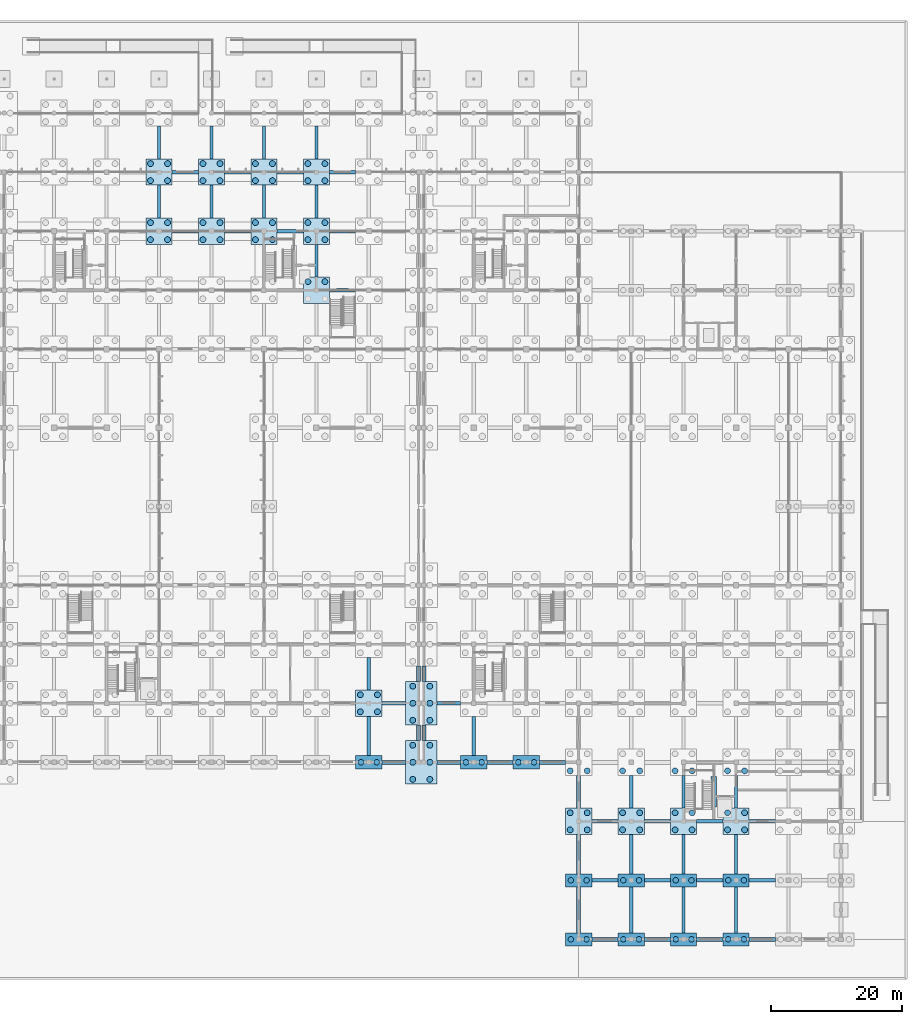
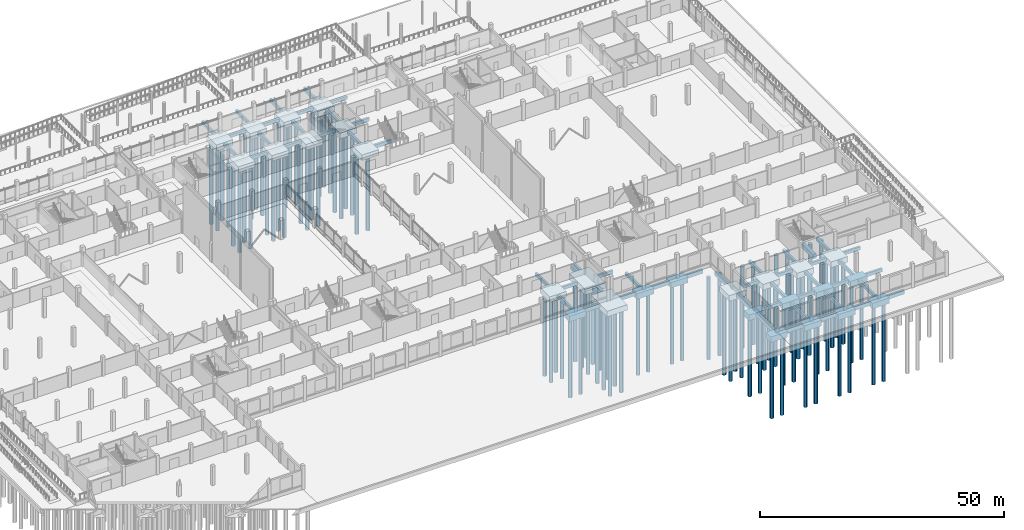
# One storey, part 7 of 72: 96 piles, 83 footings.
"""IFC4 building model written with IfcOpenShell, lengths in metres."""

from ifc_helpers import new_model, si_unit, direction, frame, origin, origin_2d, place, context, subcontext, project, spatial, rectangle, circle, extrude, material, material_profile, profile_set, type_object, element, save


model = new_model("IFC4")

# Units and contexts
model_context = context("Model", 3, precision=1e-05, world=origin(), true_north=direction((0.0, 1.0)))
body_context = subcontext(model_context, "Body", "Model", "MODEL_VIEW")
ifc_project = project(units=[si_unit("LENGTHUNIT", "METRE"), si_unit("AREAUNIT", "SQUARE_METRE"), si_unit("VOLUMEUNIT", "CUBIC_METRE"), si_unit("PLANEANGLEUNIT", "RADIAN"), si_unit("MASSUNIT", "GRAM", prefix="KILO"), si_unit("THERMODYNAMICTEMPERATUREUNIT", "KELVIN"), si_unit("POWERUNIT", "WATT")], contexts=[model_context])

# Site, building, storey
site_placement = place(None, origin())
site = spatial("IfcSite", under=ifc_project, at=site_placement, CompositionType="ELEMENT")
building_placement = place(site_placement, origin())
building = spatial("IfcBuilding", under=site, at=building_placement, Name="Kronsvod Quay Wholesale Market", CompositionType="ELEMENT")
storey_placement = place(building_placement, origin())
storey = spatial("IfcBuildingStorey", under=building, at=storey_placement, Name="L00", CompositionType="ELEMENT", Elevation=0.0)

# Footings
ifc_material_1 = material(Name="Concrete C35/45", Category="concrete")
footing_type_1 = type_object("IfcFootingType", Name="Cap_PC2B", PredefinedType="PILE_CAP", material=ifc_material_1)
for number, where, z_axis, x_axis, name in (
    (1, (120.0, 27.0, -2.64990234375), (0.0, 0.0, 1.0), (1.0, 0.0, 0.0), "CAP-178"),
    (2, (136.0, 27.0, -2.64990234375), (0.0, 0.0, 1.0), (1.0, 0.0, 0.0), "CAP-188"),
    (3, (144.0, 27.0, -2.64990234375), (0.0, 0.0, 1.0), (1.0, 0.0, 0.0), "CAP-198"),
    (4, (152.0, 0.0, -2.64990234375), (0.0, 0.0, 1.0), (1.0, 0.0, 0.0), "CAP-208"),
    (5, (152.0, 9.0, -2.64990234375), (0.0, 0.0, 1.0), (1.0, 0.0, 0.0), "CAP-209"),
    (6, (160.0, 0.0, -2.64990234375), (0.0, 0.0, 1.0), (1.0, 0.0, 0.0), "CAP-221"),
    (7, (160.0, 9.0, -2.64990234375), (0.0, 0.0, 1.0), (1.0, 0.0, 0.0), "CAP-222"),
    (8, (168.0, 0.0, -2.64990234375), (0.0, 0.0, 1.0), (1.0, 0.0, 0.0), "CAP-232"),
    (9, (168.0, 9.0, -2.64990234375), (0.0, 0.0, 1.0), (1.0, 0.0, 0.0), "CAP-233"),
    (10, (176.0, 0.0, -2.64990234375), (0.0, 0.0, 1.0), (1.0, 0.0, 0.0), "CAP-243"),
    (11, (176.0, 9.0, -2.64990234375), (0.0, 0.0, 1.0), (1.0, 0.0, 0.0), "CAP-244"),
):
    element("IfcFooting", number, at=place(storey_placement, frame(where, z_axis=z_axis, x_axis=x_axis)), inside=storey, type_object=footing_type_1, Name=name, PredefinedType="PILE_CAP", context=body_context, shape_type="SweptSolid", body=[
        extrude(rectangle(XDim=4.0, YDim=2.0, at=origin_2d()), origin(), (0.0, 0.0, 1.0), 1.39990234375),
    ])
ifc_material_2 = material(Name="Concrete C35/45", Category="concrete")
footing_type_2 = type_object("IfcFootingType", Name="Cap_PC4A", PredefinedType="PILE_CAP", material=ifc_material_2)
for number, where, z_axis, x_axis, name in (
    (12, (88.0, 108.0, -2.64990234375), (0.0, 0.0, 1.0), (1.0, 0.0, 0.0), "CAP-145"),
    (13, (88.0, 117.0, -2.64990234375), (0.0, 0.0, 1.0), (1.0, 0.0, 0.0), "CAP-146"),
    (14, (96.0, 108.0, -2.64990234375), (0.0, 0.0, 1.0), (1.0, 0.0, 0.0), "CAP-154"),
    (15, (96.0, 117.0, -2.64990234375), (0.0, 0.0, 1.0), (1.0, 0.0, 0.0), "CAP-155"),
    (16, (104.0, 108.0, -2.64990234375), (0.0, 0.0, 1.0), (1.0, 0.0, 0.0), "CAP-165"),
    (17, (104.0, 117.0, -2.64990234375), (0.0, 0.0, 1.0), (1.0, 0.0, 0.0), "CAP-166"),
    (18, (112.0, 99.0, -2.64990234375), (0.0, 0.0, 1.0), (1.0, 0.0, 0.0), "CAP-174"),
    (19, (112.0, 108.0, -2.64990234375), (0.0, 0.0, 1.0), (1.0, 0.0, 0.0), "CAP-175"),
    (20, (112.0, 117.0, -2.64990234375), (0.0, 0.0, 1.0), (1.0, 0.0, 0.0), "CAP-176"),
    (21, (120.0, 36.0, -2.64990234375), (0.0, 0.0, 1.0), (1.0, 0.0, 0.0), "CAP-179"),
    (22, (152.0, 18.0, -2.64990234375), (0.0, 0.0, 1.0), (1.0, 0.0, 0.0), "CAP-210"),
    (23, (160.0, 18.0, -2.64990234375), (0.0, 0.0, 1.0), (1.0, 0.0, 0.0), "CAP-223"),
    (24, (168.0, 18.0, -2.64990234375), (0.0, 0.0, 1.0), (1.0, 0.0, 0.0), "CAP-234"),
    (25, (176.0, 18.0, -2.64990234375), (0.0, 0.0, 1.0), (1.0, 0.0, 0.0), "CAP-245"),
):
    element("IfcFooting", number, at=place(storey_placement, frame(where, z_axis=z_axis, x_axis=x_axis)), inside=storey, type_object=footing_type_2, Name=name, PredefinedType="PILE_CAP", context=body_context, shape_type="SweptSolid", body=[
        extrude(rectangle(XDim=4.0, YDim=4.0, at=origin_2d()), origin(), (0.0, 0.0, 1.0), 1.39990234375),
    ])
ifc_material_3 = material(Name="Concrete C35/45", Category="concrete")
footing_type_3 = type_object("IfcFootingType", Name="Cap_PC6J", PredefinedType="PILE_CAP", material=ifc_material_3)
for number, where, z_axis, x_axis, name in (
    (26, (128.0, 27.0, -2.64990234375), (0.0, 0.0, 1.0), (1.0, 0.0, 0.0), "CAP-J002"),
    (27, (128.0, 36.0, -2.64990234375), (0.0, 0.0, 1.0), (1.0, 0.0, 0.0), "CAP-J004"),
):
    element("IfcFooting", number, at=place(storey_placement, frame(where, z_axis=z_axis, x_axis=x_axis)), inside=storey, type_object=footing_type_3, Name=name, PredefinedType="PILE_CAP", context=body_context, shape_type="SweptSolid", body=[
        extrude(rectangle(XDim=4.800048828125, YDim=6.60009765625, at=origin_2d()), origin(), (0.0, 0.0, 1.0), 1.39990234375),
    ])
ifc_material_4 = material(Name="Concrete C35/45", Category="concrete")
ifc_material_profile_1 = material_profile(ifc_material_4, rectangle(XDim=0.5, YDim=0.800048828125, at=origin_2d()), Name="FB-01")
ifc_profile_set_1 = profile_set([ifc_material_profile_1], Name="Concrete C35/45")
footing_type_4 = type_object("IfcFootingType", Name="FootingBeam_500x800", PredefinedType="FOOTING_BEAM", material=ifc_profile_set_1)
footing_1_placement = place(storey_placement, frame((122.0, 36.0, -1.64990234375), z_axis=(1.0, 0.0, 0.0), x_axis=(0.0, 1.0, 0.0)))
element("IfcFooting", 28, at=footing_1_placement, inside=storey, type_object=footing_type_4, Name="FB-X-0204", PredefinedType="FOOTING_BEAM", context=body_context, shape_type="SweptSolid", body=[
    extrude(rectangle(XDim=0.5, YDim=0.800048828125, at=origin_2d()), origin(), (0.0, 0.0, 1.0), 3.60009765625),
])
for number, where, z_axis, x_axis, name in (
    (29, (90.0, 108.0, -1.64990234375), (1.0, 0.0, 0.0), (0.0, 1.0, 0.0), "FB-X-0246"),
    (30, (98.0, 108.0, -1.64990234375), (1.0, 0.0, 0.0), (0.0, 1.0, 0.0), "FB-X-0247"),
    (31, (106.0, 108.0, -1.64990234375), (1.0, 0.0, 0.0), (0.0, 1.0, 0.0), "FB-X-0248"),
    (32, (114.0, 108.0, -1.64990234375), (1.0, 0.0, 0.0), (0.0, 1.0, 0.0), "FB-X-0249"),
    (33, (90.0, 117.0, -1.64990234375), (1.0, 0.0, 0.0), (0.0, 1.0, 0.0), "FB-X-0254"),
    (34, (98.0, 117.0, -1.64990234375), (1.0, 0.0, 0.0), (0.0, 1.0, 0.0), "FB-X-0255"),
    (35, (106.0, 117.0, -1.64990234375), (1.0, 0.0, 0.0), (0.0, 1.0, 0.0), "FB-X-0256"),
    (36, (114.0, 117.0, -1.64990234375), (1.0, 0.0, 0.0), (0.0, 1.0, 0.0), "FB-X-0257"),
):
    element("IfcFooting", number, at=place(storey_placement, frame(where, z_axis=z_axis, x_axis=x_axis)), inside=storey, type_object=footing_type_4, Name=name, PredefinedType="FOOTING_BEAM", context=body_context, shape_type="SweptSolid", body=[
        extrude(rectangle(XDim=0.5, YDim=0.800048828125, at=origin_2d()), origin(), (0.0, 0.0, 1.0), 4.0),
    ])
for number, where, z_axis, x_axis, name in (
    (37, (88.0, 110.0, -1.64990234375), (0.0, 1.0, 0.0), (-1.0, 0.0, 0.0), "FB-Y-0299"),
    (38, (88.0, 119.0, -1.64990234375), (0.0, 1.0, 0.0), (-1.0, 0.0, 0.0), "FB-Y-0300"),
    (39, (96.0, 110.0, -1.64990234375), (0.0, 1.0, 0.0), (-1.0, 0.0, 0.0), "FB-Y-0306"),
    (40, (96.0, 119.0, -1.64990234375), (0.0, 1.0, 0.0), (-1.0, 0.0, 0.0), "FB-Y-0307"),
    (41, (104.0, 110.0, -1.64990234375), (0.0, 1.0, 0.0), (-1.0, 0.0, 0.0), "FB-Y-0316"),
    (42, (104.0, 119.0, -1.64990234375), (0.0, 1.0, 0.0), (-1.0, 0.0, 0.0), "FB-Y-0317"),
    (43, (112.0, 101.0, -1.64990234375), (0.0, 1.0, 0.0), (-1.0, 0.0, 0.0), "FB-Y-0323"),
    (44, (112.0, 110.0, -1.64990234375), (0.0, 1.0, 0.0), (-1.0, 0.0, 0.0), "FB-Y-0324"),
    (45, (112.0, 119.0, -1.64990234375), (0.0, 1.0, 0.0), (-1.0, 0.0, 0.0), "FB-Y-0325"),
):
    element("IfcFooting", number, at=place(storey_placement, frame(where, z_axis=z_axis, x_axis=x_axis)), inside=storey, type_object=footing_type_4, Name=name, PredefinedType="FOOTING_BEAM", context=body_context, shape_type="SweptSolid", body=[
        extrude(rectangle(XDim=0.5, YDim=0.800048828125, at=origin_2d()), origin(), (0.0, 0.0, 1.0), 5.0),
    ])
footing_2_placement = place(storey_placement, frame((120.0, 28.0, -1.64990234375), z_axis=(0.0, 1.0, 0.0), x_axis=(-1.0, 0.0, 0.0)))
element("IfcFooting", 46, at=footing_2_placement, inside=storey, type_object=footing_type_4, Name="FB-Y-0326", PredefinedType="FOOTING_BEAM", context=body_context, shape_type="SweptSolid", body=[
    extrude(rectangle(XDim=0.5, YDim=0.800048828125, at=origin_2d()), origin(), (0.0, 0.0, 1.0), 6.0),
])
footing_3_placement = place(storey_placement, frame((120.0, 38.0, -1.64990234375), z_axis=(0.0, 1.0, 0.0), x_axis=(-1.0, 0.0, 0.0)))
element("IfcFooting", 47, at=footing_3_placement, inside=storey, type_object=footing_type_4, Name="FB-Y-0327", PredefinedType="FOOTING_BEAM", context=body_context, shape_type="SweptSolid", body=[
    extrude(rectangle(XDim=0.5, YDim=0.800048828125, at=origin_2d()), origin(), (0.0, 0.0, 1.0), 5.0),
])
for number, where, z_axis, x_axis, name in (
    (48, (154.0, 9.0, -1.64990234375), (1.0, 0.0, 0.0), (0.0, 1.0, 0.0), "FB-X-0347"),
    (49, (162.0, 9.0, -1.64990234375), (1.0, 0.0, 0.0), (0.0, 1.0, 0.0), "FB-X-0348"),
    (50, (170.0, 9.0, -1.64990234375), (1.0, 0.0, 0.0), (0.0, 1.0, 0.0), "FB-X-0349"),
    (51, (178.0, 9.0, -1.64990234375), (1.0, 0.0, 0.0), (0.0, 1.0, 0.0), "FB-X-0350"),
    (52, (154.0, 18.0, -1.64990234375), (1.0, 0.0, 0.0), (0.0, 1.0, 0.0), "FB-X-0352"),
    (53, (162.0, 18.0, -1.64990234375), (1.0, 0.0, 0.0), (0.0, 1.0, 0.0), "FB-X-0353"),
    (54, (170.0, 18.0, -1.64990234375), (1.0, 0.0, 0.0), (0.0, 1.0, 0.0), "FB-X-0354"),
    (55, (178.0, 18.0, -1.64990234375), (1.0, 0.0, 0.0), (0.0, 1.0, 0.0), "FB-X-0355"),
):
    element("IfcFooting", number, at=place(storey_placement, frame(where, z_axis=z_axis, x_axis=x_axis)), inside=storey, type_object=footing_type_4, Name=name, PredefinedType="FOOTING_BEAM", context=body_context, shape_type="SweptSolid", body=[
        extrude(rectangle(XDim=0.5, YDim=0.800048828125, at=origin_2d()), origin(), (0.0, 0.0, 1.0), 4.0),
    ])
footing_4_placement = place(storey_placement, frame((130.39990234375, 36.0, -1.64990234375), z_axis=(1.0, 0.0, 0.0), x_axis=(0.0, 1.0, 0.0)))
element("IfcFooting", 56, at=footing_4_placement, inside=storey, type_object=footing_type_4, Name="FB-X-0365", PredefinedType="FOOTING_BEAM", context=body_context, shape_type="SweptSolid", body=[
    extrude(rectangle(XDim=0.5, YDim=0.800048828125, at=origin_2d()), origin(), (0.0, 0.0, 1.0), 3.60009765625),
])
footing_5_placement = place(storey_placement, frame((136.0, 28.0, -1.64990234375), z_axis=(0.0, 1.0, 0.0), x_axis=(-1.0, 0.0, 0.0)))
element("IfcFooting", 57, at=footing_5_placement, inside=storey, type_object=footing_type_4, Name="FB-Y-0436", PredefinedType="FOOTING_BEAM", context=body_context, shape_type="SweptSolid", body=[
    extrude(rectangle(XDim=0.5, YDim=0.800048828125, at=origin_2d()), origin(), (0.0, 0.0, 1.0), 6.0),
])
footing_6_placement = place(storey_placement, frame((160.0, 1.0, -1.64990234375), z_axis=(0.0, 1.0, 0.0), x_axis=(-1.0, 0.0, 0.0)))
element("IfcFooting", 58, at=footing_6_placement, inside=storey, type_object=footing_type_4, Name="FB-Y-0463", PredefinedType="FOOTING_BEAM", context=body_context, shape_type="SweptSolid", body=[
    extrude(rectangle(XDim=0.5, YDim=0.800048828125, at=origin_2d()), origin(), (0.0, 0.0, 1.0), 7.0),
])
footing_7_placement = place(storey_placement, frame((160.0, 10.0, -1.64990234375), z_axis=(0.0, 1.0, 0.0), x_axis=(-1.0, 0.0, 0.0)))
element("IfcFooting", 59, at=footing_7_placement, inside=storey, type_object=footing_type_4, Name="FB-Y-0464", PredefinedType="FOOTING_BEAM", context=body_context, shape_type="SweptSolid", body=[
    extrude(rectangle(XDim=0.5, YDim=0.800048828125, at=origin_2d()), origin(), (0.0, 0.0, 1.0), 6.0),
])
footing_8_placement = place(storey_placement, frame((160.0, 20.0, -1.64990234375), z_axis=(0.0, 1.0, 0.0), x_axis=(-1.0, 0.0, 0.0)))
element("IfcFooting", 60, at=footing_8_placement, inside=storey, type_object=footing_type_4, Name="FB-Y-0465", PredefinedType="FOOTING_BEAM", context=body_context, shape_type="SweptSolid", body=[
    extrude(rectangle(XDim=0.5, YDim=0.800048828125, at=origin_2d()), origin(), (0.0, 0.0, 1.0), 5.0),
])
footing_9_placement = place(storey_placement, frame((168.0, 1.0, -1.64990234375), z_axis=(0.0, 1.0, 0.0), x_axis=(-1.0, 0.0, 0.0)))
element("IfcFooting", 61, at=footing_9_placement, inside=storey, type_object=footing_type_4, Name="FB-Y-0472", PredefinedType="FOOTING_BEAM", context=body_context, shape_type="SweptSolid", body=[
    extrude(rectangle(XDim=0.5, YDim=0.800048828125, at=origin_2d()), origin(), (0.0, 0.0, 1.0), 7.0),
])
footing_10_placement = place(storey_placement, frame((168.0, 10.0, -1.64990234375), z_axis=(0.0, 1.0, 0.0), x_axis=(-1.0, 0.0, 0.0)))
element("IfcFooting", 62, at=footing_10_placement, inside=storey, type_object=footing_type_4, Name="FB-Y-0473", PredefinedType="FOOTING_BEAM", context=body_context, shape_type="SweptSolid", body=[
    extrude(rectangle(XDim=0.5, YDim=0.800048828125, at=origin_2d()), origin(), (0.0, 0.0, 1.0), 6.0),
])
footing_11_placement = place(storey_placement, frame((168.0, 20.0, -1.64990234375), z_axis=(0.0, 1.0, 0.0), x_axis=(-1.0, 0.0, 0.0)))
element("IfcFooting", 63, at=footing_11_placement, inside=storey, type_object=footing_type_4, Name="FB-Y-0474", PredefinedType="FOOTING_BEAM", context=body_context, shape_type="SweptSolid", body=[
    extrude(rectangle(XDim=0.5, YDim=0.800048828125, at=origin_2d()), origin(), (0.0, 0.0, 1.0), 5.0),
])
footing_12_placement = place(storey_placement, frame((176.0, 1.0, -1.64990234375), z_axis=(0.0, 1.0, 0.0), x_axis=(-1.0, 0.0, 0.0)))
element("IfcFooting", 64, at=footing_12_placement, inside=storey, type_object=footing_type_4, Name="FB-Y-0481", PredefinedType="FOOTING_BEAM", context=body_context, shape_type="SweptSolid", body=[
    extrude(rectangle(XDim=0.5, YDim=0.800048828125, at=origin_2d()), origin(), (0.0, 0.0, 1.0), 7.0),
])
footing_13_placement = place(storey_placement, frame((176.0, 10.0, -1.64990234375), z_axis=(0.0, 1.0, 0.0), x_axis=(-1.0, 0.0, 0.0)))
element("IfcFooting", 65, at=footing_13_placement, inside=storey, type_object=footing_type_4, Name="FB-Y-0482", PredefinedType="FOOTING_BEAM", context=body_context, shape_type="SweptSolid", body=[
    extrude(rectangle(XDim=0.5, YDim=0.800048828125, at=origin_2d()), origin(), (0.0, 0.0, 1.0), 6.0),
])
footing_14_placement = place(storey_placement, frame((176.0, 20.0, -1.64990234375), z_axis=(0.0, 1.0, 0.0), x_axis=(-1.0, 0.0, 0.0)))
element("IfcFooting", 66, at=footing_14_placement, inside=storey, type_object=footing_type_4, Name="FB-Y-0483", PredefinedType="FOOTING_BEAM", context=body_context, shape_type="SweptSolid", body=[
    extrude(rectangle(XDim=0.5, YDim=0.800048828125, at=origin_2d()), origin(), (0.0, 0.0, 1.0), 5.0),
])
ifc_material_5 = material(Name="Concrete C35/45", Category="concrete")
ifc_material_profile_2 = material_profile(ifc_material_5, rectangle(XDim=0.550048828125, YDim=0.85009765625, at=origin_2d()), Name="FB-03")
ifc_profile_set_2 = profile_set([ifc_material_profile_2], Name="Concrete C35/45")
footing_type_5 = type_object("IfcFootingType", Name="FootingBeam_550x850", PredefinedType="FOOTING_BEAM", material=ifc_profile_set_2)
footing_15_placement = place(storey_placement, frame((114.0, 99.0, -1.675048828125), z_axis=(1.0, 0.0, 0.0), x_axis=(0.0, 1.0, 0.0)))
element("IfcFooting", 67, at=footing_15_placement, inside=storey, type_object=footing_type_5, Name="FB-X-0241", PredefinedType="FOOTING_BEAM", context=body_context, shape_type="SweptSolid", body=[
    extrude(rectangle(XDim=0.550048828125, YDim=0.85009765625, at=origin_2d()), origin(), (0.0, 0.0, 1.0), 4.0),
])
ifc_material_6 = material(Name="Concrete C35/45", Category="concrete")
ifc_material_profile_3 = material_profile(ifc_material_6, rectangle(XDim=0.60009765625, YDim=0.89990234375, at=origin_2d()), Name="FB-02")
ifc_profile_set_3 = profile_set([ifc_material_profile_3], Name="Concrete C35/45")
footing_type_6 = type_object("IfcFootingType", Name="FootingBeam_600x900", PredefinedType="FOOTING_BEAM", material=ifc_profile_set_3)
footing_16_placement = place(storey_placement, frame((122.0, 27.0, -1.699951171875), z_axis=(1.0, 0.0, 0.0), x_axis=(0.0, 1.0, 0.0)))
element("IfcFooting", 68, at=footing_16_placement, inside=storey, type_object=footing_type_6, Name="FB-X-0196", PredefinedType="FOOTING_BEAM", context=body_context, shape_type="SweptSolid", body=[
    extrude(rectangle(XDim=0.60009765625, YDim=0.89990234375, at=origin_2d()), origin(), (0.0, 0.0, 1.0), 3.60009765625),
])
for number, where, z_axis, x_axis, name in (
    (69, (127.60009765625, 30.300048828125, -1.699951171875), (0.0, 1.0, 0.0), (-1.0, 0.0, 0.0), "FB-Y-0334"),
    (70, (127.60009765625, 39.300048828125, -1.699951171875), (0.0, 1.0, 0.0), (-1.0, 0.0, 0.0), "FB-Y-0335"),
):
    element("IfcFooting", number, at=place(storey_placement, frame(where, z_axis=z_axis, x_axis=x_axis)), inside=storey, type_object=footing_type_6, Name=name, PredefinedType="FOOTING_BEAM", context=body_context, shape_type="SweptSolid", body=[
        extrude(rectangle(XDim=0.60009765625, YDim=0.89990234375, at=origin_2d()), origin(), (0.0, 0.0, 1.0), 2.39990234375),
    ])
for number, where, z_axis, x_axis, name in (
    (71, (154.0, 0.0, -1.699951171875), (1.0, 0.0, 0.0), (0.0, 1.0, 0.0), "FB-X-0342"),
    (72, (162.0, 0.0, -1.699951171875), (1.0, 0.0, 0.0), (0.0, 1.0, 0.0), "FB-X-0343"),
    (73, (170.0, 0.0, -1.699951171875), (1.0, 0.0, 0.0), (0.0, 1.0, 0.0), "FB-X-0344"),
    (74, (178.0, 0.0, -1.699951171875), (1.0, 0.0, 0.0), (0.0, 1.0, 0.0), "FB-X-0345"),
):
    element("IfcFooting", number, at=place(storey_placement, frame(where, z_axis=z_axis, x_axis=x_axis)), inside=storey, type_object=footing_type_6, Name=name, PredefinedType="FOOTING_BEAM", context=body_context, shape_type="SweptSolid", body=[
        extrude(rectangle(XDim=0.60009765625, YDim=0.89990234375, at=origin_2d()), origin(), (0.0, 0.0, 1.0), 4.0),
    ])
footing_17_placement = place(storey_placement, frame((130.39990234375, 27.0, -1.699951171875), z_axis=(1.0, 0.0, 0.0), x_axis=(0.0, 1.0, 0.0)))
element("IfcFooting", 75, at=footing_17_placement, inside=storey, type_object=footing_type_6, Name="FB-X-0357", PredefinedType="FOOTING_BEAM", context=body_context, shape_type="SweptSolid", body=[
    extrude(rectangle(XDim=0.60009765625, YDim=0.89990234375, at=origin_2d()), origin(), (0.0, 0.0, 1.0), 3.60009765625),
])
for number, where, z_axis, x_axis, name in (
    (76, (138.0, 27.0, -1.699951171875), (1.0, 0.0, 0.0), (0.0, 1.0, 0.0), "FB-X-0358"),
    (77, (146.0, 27.0, -1.699951171875), (1.0, 0.0, 0.0), (0.0, 1.0, 0.0), "FB-X-0359"),
):
    element("IfcFooting", number, at=place(storey_placement, frame(where, z_axis=z_axis, x_axis=x_axis)), inside=storey, type_object=footing_type_6, Name=name, PredefinedType="FOOTING_BEAM", context=body_context, shape_type="SweptSolid", body=[
        extrude(rectangle(XDim=0.60009765625, YDim=0.89990234375, at=origin_2d()), origin(), (0.0, 0.0, 1.0), 4.0),
    ])
for number, where, z_axis, x_axis, name in (
    (78, (128.39990234375, 30.300048828125, -1.699951171875), (0.0, 1.0, 0.0), (-1.0, 0.0, 0.0), "FB-Y-0428"),
    (79, (128.39990234375, 39.300048828125, -1.699951171875), (0.0, 1.0, 0.0), (-1.0, 0.0, 0.0), "FB-Y-0429"),
):
    element("IfcFooting", number, at=place(storey_placement, frame(where, z_axis=z_axis, x_axis=x_axis)), inside=storey, type_object=footing_type_6, Name=name, PredefinedType="FOOTING_BEAM", context=body_context, shape_type="SweptSolid", body=[
        extrude(rectangle(XDim=0.60009765625, YDim=0.89990234375, at=origin_2d()), origin(), (0.0, 0.0, 1.0), 2.39990234375),
    ])
footing_18_placement = place(storey_placement, frame((152.0, 1.0, -1.699951171875), z_axis=(0.0, 1.0, 0.0), x_axis=(-1.0, 0.0, 0.0)))
element("IfcFooting", 80, at=footing_18_placement, inside=storey, type_object=footing_type_6, Name="FB-Y-0452", PredefinedType="FOOTING_BEAM", context=body_context, shape_type="SweptSolid", body=[
    extrude(rectangle(XDim=0.60009765625, YDim=0.89990234375, at=origin_2d()), origin(), (0.0, 0.0, 1.0), 7.0),
])
footing_19_placement = place(storey_placement, frame((152.0, 10.0, -1.699951171875), z_axis=(0.0, 1.0, 0.0), x_axis=(-1.0, 0.0, 0.0)))
element("IfcFooting", 81, at=footing_19_placement, inside=storey, type_object=footing_type_6, Name="FB-Y-0453", PredefinedType="FOOTING_BEAM", context=body_context, shape_type="SweptSolid", body=[
    extrude(rectangle(XDim=0.60009765625, YDim=0.89990234375, at=origin_2d()), origin(), (0.0, 0.0, 1.0), 6.0),
])
footing_20_placement = place(storey_placement, frame((152.0, 20.0, -1.699951171875), z_axis=(0.0, 1.0, 0.0), x_axis=(-1.0, 0.0, 0.0)))
element("IfcFooting", 82, at=footing_20_placement, inside=storey, type_object=footing_type_6, Name="FB-Y-0454", PredefinedType="FOOTING_BEAM", context=body_context, shape_type="SweptSolid", body=[
    extrude(rectangle(XDim=0.60009765625, YDim=0.89990234375, at=origin_2d()), origin(), (0.0, 0.0, 1.0), 5.0),
])

# Piles
ifc_material_7 = material(Name="Concrete C35/45", Category="concrete")
ifc_material_profile_4 = material_profile(ifc_material_7, circle(Radius=0.425048828125, at=origin_2d()), Name="PILE850")
ifc_profile_set_4 = profile_set([ifc_material_profile_4], Name="Concrete C35/45")
pile_type_1 = type_object("IfcPileType", Name="Pile_PILE850", PredefinedType="BORED", material=ifc_profile_set_4)
for number, where, z_axis, x_axis, name in (
    (83, (118.800048828125, 27.0, -2.64990234375), (0.0, 0.0, -1.0), (1.0, 0.0, 0.0), "PILE-0699"),
    (84, (121.199951171875, 27.0, -2.64990234375), (0.0, 0.0, -1.0), (1.0, 0.0, 0.0), "PILE-0700"),
    (85, (134.800048828125, 27.0, -2.64990234375), (0.0, 0.0, -1.0), (1.0, 0.0, 0.0), "PILE-0737"),
    (86, (137.199951171875, 27.0, -2.64990234375), (0.0, 0.0, -1.0), (1.0, 0.0, 0.0), "PILE-0738"),
    (87, (142.800048828125, 27.0, -2.64990234375), (0.0, 0.0, -1.0), (1.0, 0.0, 0.0), "PILE-0775"),
    (88, (145.199951171875, 27.0, -2.64990234375), (0.0, 0.0, -1.0), (1.0, 0.0, 0.0), "PILE-0776"),
    (89, (150.800048828125, 0.0, -2.64990234375), (0.0, 0.0, -1.0), (1.0, 0.0, 0.0), "PILE-0813"),
    (90, (153.199951171875, 0.0, -2.64990234375), (0.0, 0.0, -1.0), (1.0, 0.0, 0.0), "PILE-0814"),
    (91, (150.800048828125, 9.0, -2.64990234375), (0.0, 0.0, -1.0), (1.0, 0.0, 0.0), "PILE-0815"),
    (92, (153.199951171875, 9.0, -2.64990234375), (0.0, 0.0, -1.0), (1.0, 0.0, 0.0), "PILE-0816"),
    (93, (158.800048828125, 0.0, -2.64990234375), (0.0, 0.0, -1.0), (1.0, 0.0, 0.0), "PILE-0861"),
    (94, (161.199951171875, 0.0, -2.64990234375), (0.0, 0.0, -1.0), (1.0, 0.0, 0.0), "PILE-0862"),
    (95, (158.800048828125, 9.0, -2.64990234375), (0.0, 0.0, -1.0), (1.0, 0.0, 0.0), "PILE-0863"),
    (96, (161.199951171875, 9.0, -2.64990234375), (0.0, 0.0, -1.0), (1.0, 0.0, 0.0), "PILE-0864"),
    (97, (166.800048828125, 0.0, -2.64990234375), (0.0, 0.0, -1.0), (1.0, 0.0, 0.0), "PILE-0897"),
    (98, (169.199951171875, 0.0, -2.64990234375), (0.0, 0.0, -1.0), (1.0, 0.0, 0.0), "PILE-0898"),
    (99, (166.800048828125, 9.0, -2.64990234375), (0.0, 0.0, -1.0), (1.0, 0.0, 0.0), "PILE-0899"),
    (100, (169.199951171875, 9.0, -2.64990234375), (0.0, 0.0, -1.0), (1.0, 0.0, 0.0), "PILE-0900"),
    (101, (174.800048828125, 0.0, -2.64990234375), (0.0, 0.0, -1.0), (1.0, 0.0, 0.0), "PILE-0933"),
    (102, (177.199951171875, 0.0, -2.64990234375), (0.0, 0.0, -1.0), (1.0, 0.0, 0.0), "PILE-0934"),
    (103, (174.800048828125, 9.0, -2.64990234375), (0.0, 0.0, -1.0), (1.0, 0.0, 0.0), "PILE-0935"),
    (104, (177.199951171875, 9.0, -2.64990234375), (0.0, 0.0, -1.0), (1.0, 0.0, 0.0), "PILE-0936"),
):
    element("IfcPile", number, at=place(storey_placement, frame(where, z_axis=z_axis, x_axis=x_axis)), inside=storey, type_object=pile_type_1, Name=name, PredefinedType="BORED", context=body_context, shape_type="SweptSolid", body=[
        extrude(circle(Radius=0.425048828125, at=origin_2d()), origin(), (0.0, 0.0, 1.0), 19.60009765625),
    ])
ifc_material_8 = material(Name="Concrete C35/45", Category="concrete")
ifc_material_profile_5 = material_profile(ifc_material_8, circle(Radius=0.449951171875, at=origin_2d()), Name="PILE900")
ifc_profile_set_5 = profile_set([ifc_material_profile_5], Name="Concrete C35/45")
pile_type_2 = type_object("IfcPileType", Name="Pile_PILE900", PredefinedType="BORED", material=ifc_profile_set_5)
for number, where, z_axis, x_axis, name in (
    (105, (126.699951171875, 24.39990234375, -2.64990234375), (0.0, 0.0, -1.0), (1.0, 0.0, 0.0), "PILE-0007"),
    (106, (126.699951171875, 27.0, -2.64990234375), (0.0, 0.0, -1.0), (1.0, 0.0, 0.0), "PILE-0008"),
    (107, (126.699951171875, 29.60009765625, -2.64990234375), (0.0, 0.0, -1.0), (1.0, 0.0, 0.0), "PILE-0009"),
    (108, (129.300048828125, 24.39990234375, -2.64990234375), (0.0, 0.0, -1.0), (1.0, 0.0, 0.0), "PILE-0010"),
    (109, (129.300048828125, 27.0, -2.64990234375), (0.0, 0.0, -1.0), (1.0, 0.0, 0.0), "PILE-0011"),
    (110, (129.300048828125, 29.60009765625, -2.64990234375), (0.0, 0.0, -1.0), (1.0, 0.0, 0.0), "PILE-0012"),
    (111, (126.699951171875, 33.39990234375, -2.64990234375), (0.0, 0.0, -1.0), (1.0, 0.0, 0.0), "PILE-0019"),
    (112, (126.699951171875, 36.0, -2.64990234375), (0.0, 0.0, -1.0), (1.0, 0.0, 0.0), "PILE-0020"),
    (113, (126.699951171875, 38.60009765625, -2.64990234375), (0.0, 0.0, -1.0), (1.0, 0.0, 0.0), "PILE-0021"),
    (114, (129.300048828125, 33.39990234375, -2.64990234375), (0.0, 0.0, -1.0), (1.0, 0.0, 0.0), "PILE-0022"),
    (115, (129.300048828125, 36.0, -2.64990234375), (0.0, 0.0, -1.0), (1.0, 0.0, 0.0), "PILE-0023"),
    (116, (129.300048828125, 38.60009765625, -2.64990234375), (0.0, 0.0, -1.0), (1.0, 0.0, 0.0), "PILE-0024"),
    (117, (86.699951171875, 106.699951171875, -2.64990234375), (0.0, 0.0, -1.0), (1.0, 0.0, 0.0), "PILE-0575"),
    (118, (86.699951171875, 109.300048828125, -2.64990234375), (0.0, 0.0, -1.0), (1.0, 0.0, 0.0), "PILE-0576"),
    (119, (89.300048828125, 106.699951171875, -2.64990234375), (0.0, 0.0, -1.0), (1.0, 0.0, 0.0), "PILE-0577"),
    (120, (89.300048828125, 109.300048828125, -2.64990234375), (0.0, 0.0, -1.0), (1.0, 0.0, 0.0), "PILE-0578"),
    (121, (86.699951171875, 115.699951171875, -2.64990234375), (0.0, 0.0, -1.0), (1.0, 0.0, 0.0), "PILE-0579"),
    (122, (86.699951171875, 118.300048828125, -2.64990234375), (0.0, 0.0, -1.0), (1.0, 0.0, 0.0), "PILE-0580"),
    (123, (89.300048828125, 115.699951171875, -2.64990234375), (0.0, 0.0, -1.0), (1.0, 0.0, 0.0), "PILE-0581"),
    (124, (89.300048828125, 118.300048828125, -2.64990234375), (0.0, 0.0, -1.0), (1.0, 0.0, 0.0), "PILE-0582"),
    (125, (94.699951171875, 106.699951171875, -2.64990234375), (0.0, 0.0, -1.0), (1.0, 0.0, 0.0), "PILE-0609"),
    (126, (94.699951171875, 109.300048828125, -2.64990234375), (0.0, 0.0, -1.0), (1.0, 0.0, 0.0), "PILE-0610"),
    (127, (97.300048828125, 106.699951171875, -2.64990234375), (0.0, 0.0, -1.0), (1.0, 0.0, 0.0), "PILE-0611"),
    (128, (97.300048828125, 109.300048828125, -2.64990234375), (0.0, 0.0, -1.0), (1.0, 0.0, 0.0), "PILE-0612"),
    (129, (94.699951171875, 115.699951171875, -2.64990234375), (0.0, 0.0, -1.0), (1.0, 0.0, 0.0), "PILE-0613"),
    (130, (94.699951171875, 118.300048828125, -2.64990234375), (0.0, 0.0, -1.0), (1.0, 0.0, 0.0), "PILE-0614"),
    (131, (97.300048828125, 115.699951171875, -2.64990234375), (0.0, 0.0, -1.0), (1.0, 0.0, 0.0), "PILE-0615"),
    (132, (97.300048828125, 118.300048828125, -2.64990234375), (0.0, 0.0, -1.0), (1.0, 0.0, 0.0), "PILE-0616"),
    (133, (102.699951171875, 106.699951171875, -2.64990234375), (0.0, 0.0, -1.0), (1.0, 0.0, 0.0), "PILE-0649"),
    (134, (102.699951171875, 109.300048828125, -2.64990234375), (0.0, 0.0, -1.0), (1.0, 0.0, 0.0), "PILE-0650"),
    (135, (105.300048828125, 106.699951171875, -2.64990234375), (0.0, 0.0, -1.0), (1.0, 0.0, 0.0), "PILE-0651"),
    (136, (105.300048828125, 109.300048828125, -2.64990234375), (0.0, 0.0, -1.0), (1.0, 0.0, 0.0), "PILE-0652"),
    (137, (102.699951171875, 115.699951171875, -2.64990234375), (0.0, 0.0, -1.0), (1.0, 0.0, 0.0), "PILE-0653"),
    (138, (102.699951171875, 118.300048828125, -2.64990234375), (0.0, 0.0, -1.0), (1.0, 0.0, 0.0), "PILE-0654"),
    (139, (105.300048828125, 115.699951171875, -2.64990234375), (0.0, 0.0, -1.0), (1.0, 0.0, 0.0), "PILE-0655"),
    (140, (105.300048828125, 118.300048828125, -2.64990234375), (0.0, 0.0, -1.0), (1.0, 0.0, 0.0), "PILE-0656"),
    (141, (110.699951171875, 100.300048828125, -2.64990234375), (0.0, 0.0, -1.0), (1.0, 0.0, 0.0), "PILE-0684"),
    (142, (113.300048828125, 100.300048828125, -2.64990234375), (0.0, 0.0, -1.0), (1.0, 0.0, 0.0), "PILE-0686"),
    (143, (110.699951171875, 106.699951171875, -2.64990234375), (0.0, 0.0, -1.0), (1.0, 0.0, 0.0), "PILE-0687"),
    (144, (110.699951171875, 109.300048828125, -2.64990234375), (0.0, 0.0, -1.0), (1.0, 0.0, 0.0), "PILE-0688"),
    (145, (113.300048828125, 106.699951171875, -2.64990234375), (0.0, 0.0, -1.0), (1.0, 0.0, 0.0), "PILE-0689"),
    (146, (113.300048828125, 109.300048828125, -2.64990234375), (0.0, 0.0, -1.0), (1.0, 0.0, 0.0), "PILE-0690"),
    (147, (110.699951171875, 115.699951171875, -2.64990234375), (0.0, 0.0, -1.0), (1.0, 0.0, 0.0), "PILE-0691"),
    (148, (110.699951171875, 118.300048828125, -2.64990234375), (0.0, 0.0, -1.0), (1.0, 0.0, 0.0), "PILE-0692"),
    (149, (113.300048828125, 115.699951171875, -2.64990234375), (0.0, 0.0, -1.0), (1.0, 0.0, 0.0), "PILE-0693"),
    (150, (113.300048828125, 118.300048828125, -2.64990234375), (0.0, 0.0, -1.0), (1.0, 0.0, 0.0), "PILE-0694"),
    (151, (118.699951171875, 34.699951171875, -2.64990234375), (0.0, 0.0, -1.0), (1.0, 0.0, 0.0), "PILE-0701"),
    (152, (118.699951171875, 37.300048828125, -2.64990234375), (0.0, 0.0, -1.0), (1.0, 0.0, 0.0), "PILE-0702"),
    (153, (121.300048828125, 34.699951171875, -2.64990234375), (0.0, 0.0, -1.0), (1.0, 0.0, 0.0), "PILE-0703"),
    (154, (121.300048828125, 37.300048828125, -2.64990234375), (0.0, 0.0, -1.0), (1.0, 0.0, 0.0), "PILE-0704"),
    (155, (150.699951171875, 16.699951171875, -2.64990234375), (0.0, 0.0, -1.0), (1.0, 0.0, 0.0), "PILE-0817"),
    (156, (150.699951171875, 19.300048828125, -2.64990234375), (0.0, 0.0, -1.0), (1.0, 0.0, 0.0), "PILE-0818"),
    (157, (153.300048828125, 16.699951171875, -2.64990234375), (0.0, 0.0, -1.0), (1.0, 0.0, 0.0), "PILE-0819"),
    (158, (153.300048828125, 19.300048828125, -2.64990234375), (0.0, 0.0, -1.0), (1.0, 0.0, 0.0), "PILE-0820"),
    (159, (150.699951171875, 25.699951171875, -2.64990234375), (0.0, 0.0, -1.0), (1.0, 0.0, 0.0), "PILE-0821"),
    (160, (153.300048828125, 25.699951171875, -2.64990234375), (0.0, 0.0, -1.0), (1.0, 0.0, 0.0), "PILE-0823"),
    (161, (158.699951171875, 16.699951171875, -2.64990234375), (0.0, 0.0, -1.0), (1.0, 0.0, 0.0), "PILE-0865"),
    (162, (158.699951171875, 19.300048828125, -2.64990234375), (0.0, 0.0, -1.0), (1.0, 0.0, 0.0), "PILE-0866"),
    (163, (161.300048828125, 16.699951171875, -2.64990234375), (0.0, 0.0, -1.0), (1.0, 0.0, 0.0), "PILE-0867"),
    (164, (161.300048828125, 19.300048828125, -2.64990234375), (0.0, 0.0, -1.0), (1.0, 0.0, 0.0), "PILE-0868"),
    (165, (158.699951171875, 25.699951171875, -2.64990234375), (0.0, 0.0, -1.0), (1.0, 0.0, 0.0), "PILE-0869"),
    (166, (161.300048828125, 25.699951171875, -2.64990234375), (0.0, 0.0, -1.0), (1.0, 0.0, 0.0), "PILE-0871"),
    (167, (166.699951171875, 16.699951171875, -2.64990234375), (0.0, 0.0, -1.0), (1.0, 0.0, 0.0), "PILE-0901"),
    (168, (166.699951171875, 19.300048828125, -2.64990234375), (0.0, 0.0, -1.0), (1.0, 0.0, 0.0), "PILE-0902"),
    (169, (169.300048828125, 16.699951171875, -2.64990234375), (0.0, 0.0, -1.0), (1.0, 0.0, 0.0), "PILE-0903"),
    (170, (169.300048828125, 19.300048828125, -2.64990234375), (0.0, 0.0, -1.0), (1.0, 0.0, 0.0), "PILE-0904"),
    (171, (166.699951171875, 25.699951171875, -2.64990234375), (0.0, 0.0, -1.0), (1.0, 0.0, 0.0), "PILE-0905"),
    (172, (169.300048828125, 25.699951171875, -2.64990234375), (0.0, 0.0, -1.0), (1.0, 0.0, 0.0), "PILE-0907"),
    (173, (174.699951171875, 16.699951171875, -2.64990234375), (0.0, 0.0, -1.0), (1.0, 0.0, 0.0), "PILE-0937"),
    (174, (174.699951171875, 19.300048828125, -2.64990234375), (0.0, 0.0, -1.0), (1.0, 0.0, 0.0), "PILE-0938"),
    (175, (177.300048828125, 16.699951171875, -2.64990234375), (0.0, 0.0, -1.0), (1.0, 0.0, 0.0), "PILE-0939"),
    (176, (177.300048828125, 19.300048828125, -2.64990234375), (0.0, 0.0, -1.0), (1.0, 0.0, 0.0), "PILE-0940"),
    (177, (174.699951171875, 25.699951171875, -2.64990234375), (0.0, 0.0, -1.0), (1.0, 0.0, 0.0), "PILE-0941"),
    (178, (177.300048828125, 25.699951171875, -2.64990234375), (0.0, 0.0, -1.0), (1.0, 0.0, 0.0), "PILE-0943"),
):
    element("IfcPile", number, at=place(storey_placement, frame(where, z_axis=z_axis, x_axis=x_axis)), inside=storey, type_object=pile_type_2, Name=name, PredefinedType="BORED", context=body_context, shape_type="SweptSolid", body=[
        extrude(circle(Radius=0.449951171875, at=origin_2d()), origin(), (0.0, 0.0, 1.0), 20.39990234375),
    ])

# Footing
ifc_material_9 = material(Name="Concrete C35/45", Category="concrete")
ifc_material_profile_6 = material_profile(ifc_material_9, rectangle(XDim=0.800048828125, YDim=1.199951171875, at=origin_2d()), Name="SF-01")
ifc_profile_set_6 = profile_set([ifc_material_profile_6], Name="Concrete C35/45")
footing_type_7 = type_object("IfcFootingType", Name="StripFooting_800x1200", PredefinedType="STRIP_FOOTING", material=ifc_profile_set_6)
footing_21_placement = place(storey_placement, frame((172.60009765625, 20.199951171875, -1.85009765625), z_axis=(0.0, 1.0, 0.0), x_axis=(-1.0, 0.0, 0.0)))
element("IfcFooting", 179, at=footing_21_placement, inside=storey, type_object=footing_type_7, Name="SF-C06-DIV", PredefinedType="STRIP_FOOTING", context=body_context, shape_type="SweptSolid", body=[
    extrude(rectangle(XDim=0.800048828125, YDim=1.199951171875, at=origin_2d()), origin(), (0.0, 0.0, 1.0), 4.60009765625),
])

save(model, "model.ifc")
